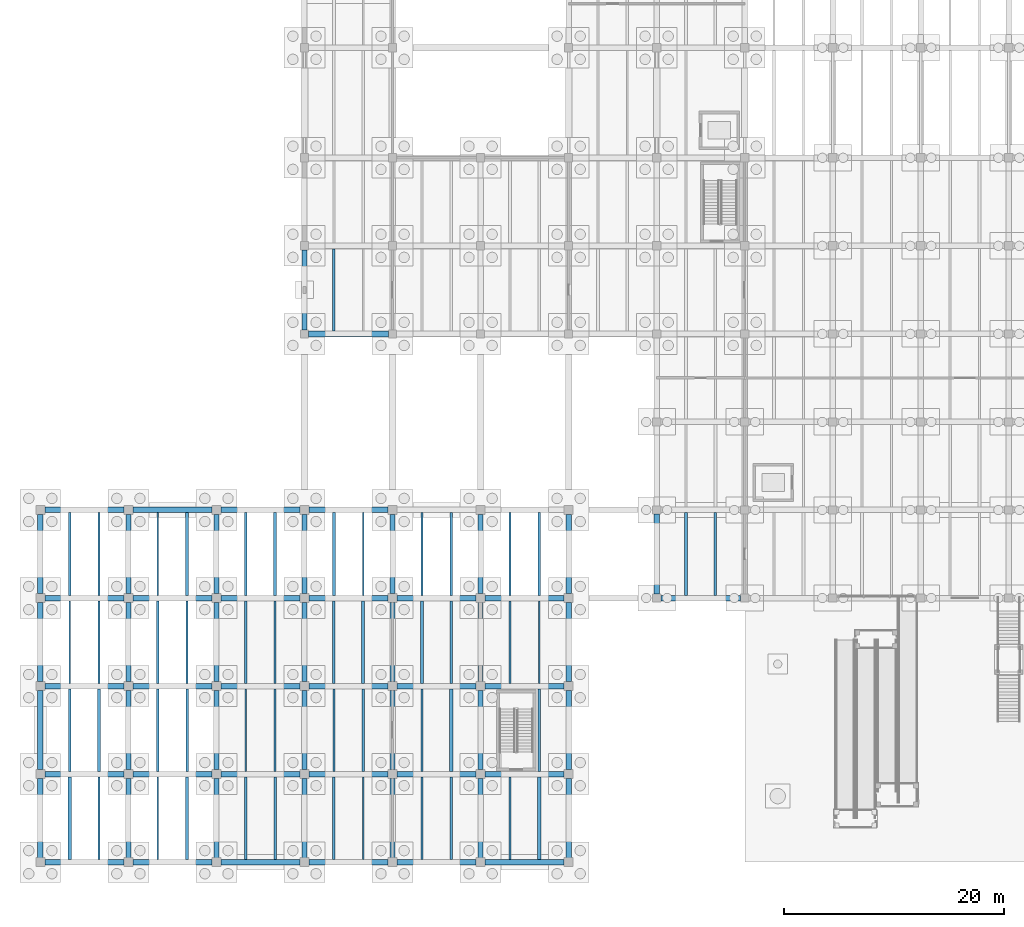
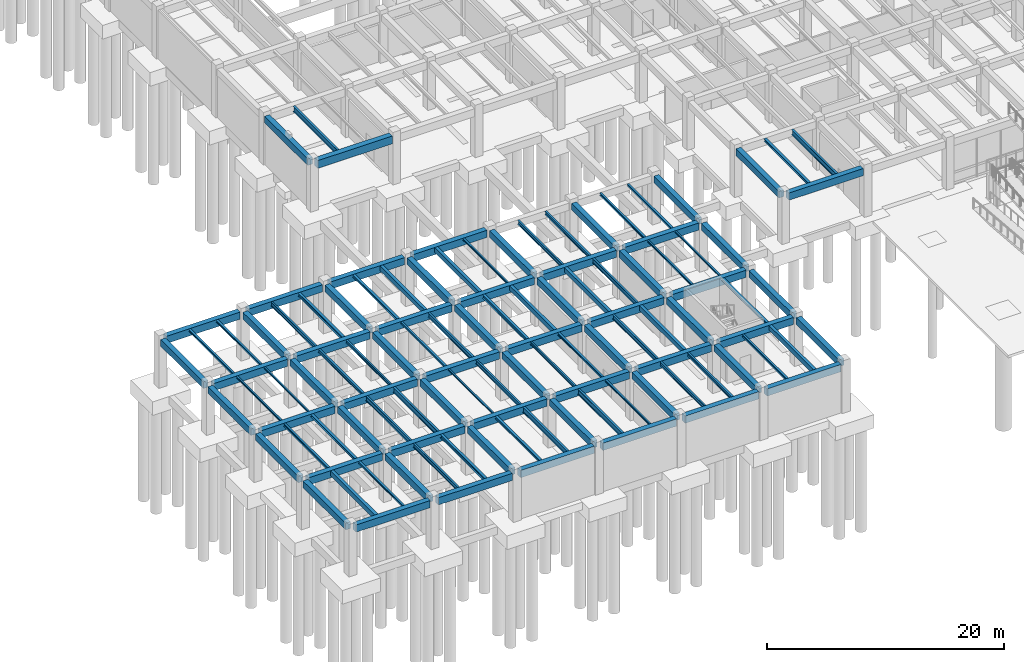
# One storey, part 12 of 44: 110 beams.
"""IFC4 building model written with IfcOpenShell, lengths in metres."""

from ifc_helpers import new_model, si_unit, direction, frame, origin, origin_2d, place, context, subcontext, project, spatial, rectangle, i_section, extrude, material, material_profile, profile_set, type_object, element, save


model = new_model("IFC4")

# Units and contexts
model_context = context("Model", 3, precision=1e-05, world=origin(), true_north=direction((0.0, 1.0)))
body_context = subcontext(model_context, "Body", "Model", "MODEL_VIEW")
ifc_project = project(units=[si_unit("LENGTHUNIT", "METRE"), si_unit("AREAUNIT", "SQUARE_METRE"), si_unit("VOLUMEUNIT", "CUBIC_METRE"), si_unit("PLANEANGLEUNIT", "RADIAN"), si_unit("MASSUNIT", "GRAM", prefix="KILO")], contexts=[model_context])

# Site, building, storey
site_placement = place(None, origin())
site = spatial("IfcSite", under=ifc_project, at=site_placement, CompositionType="ELEMENT")
building_placement = place(site_placement, origin())
building = spatial("IfcBuilding", under=site, at=building_placement, Name="Pecanmere Concourse Central Library", CompositionType="ELEMENT")
storey_placement = place(building_placement, frame((0.0, 0.0, -5.39990234375)))
storey = spatial("IfcBuildingStorey", under=building, at=storey_placement, Name="B1", CompositionType="ELEMENT", Elevation=-5.39990234375)

# Beams
ifc_material_1 = material(Name="Concrete C40/50", Category="concrete")
ifc_material_profile_1 = material_profile(ifc_material_1, rectangle(XDim=0.47998046875, YDim=0.679931640625, at=origin_2d()), Name="RC 480x680")
ifc_profile_set_1 = profile_set([ifc_material_profile_1], Name="Concrete C40/50")
beam_type_1 = type_object("IfcBeamType", Name="GRD_480x680", PredefinedType="USERDEFINED", material=ifc_profile_set_1)
for number, where, z_axis, x_axis, name in (
    (1, (0.0, 0.39990234375, 4.639892578125), (0.0, 1.0, 0.0), (-1.0, 0.0, 0.0), "Primary Girder Y L01-0211"),
    (2, (0.0, 8.39990234375, 4.639892578125), (0.0, 1.0, 0.0), (-1.0, 0.0, 0.0), "Primary Girder Y L01-0212"),
    (3, (0.0, 16.39990234375, 4.639892578125), (0.0, 1.0, 0.0), (-1.0, 0.0, 0.0), "Primary Girder Y L01-0213"),
    (4, (0.0, 24.39990234375, 4.639892578125), (0.0, 1.0, 0.0), (-1.0, 0.0, 0.0), "Primary Girder Y L01-0214"),
    (5, (8.0, 0.39990234375, 4.639892578125), (0.0, 1.0, 0.0), (-1.0, 0.0, 0.0), "Primary Girder Y L01-0215"),
    (6, (8.0, 8.39990234375, 4.639892578125), (0.0, 1.0, 0.0), (-1.0, 0.0, 0.0), "Primary Girder Y L01-0216"),
    (7, (8.0, 16.39990234375, 4.639892578125), (0.0, 1.0, 0.0), (-1.0, 0.0, 0.0), "Primary Girder Y L01-0217"),
    (8, (8.0, 24.39990234375, 4.639892578125), (0.0, 1.0, 0.0), (-1.0, 0.0, 0.0), "Primary Girder Y L01-0218"),
    (9, (16.0, 0.39990234375, 4.639892578125), (0.0, 1.0, 0.0), (-1.0, 0.0, 0.0), "Primary Girder Y L01-0219"),
    (10, (16.0, 8.39990234375, 4.639892578125), (0.0, 1.0, 0.0), (-1.0, 0.0, 0.0), "Primary Girder Y L01-0220"),
    (11, (16.0, 16.39990234375, 4.639892578125), (0.0, 1.0, 0.0), (-1.0, 0.0, 0.0), "Primary Girder Y L01-0221"),
    (12, (16.0, 24.39990234375, 4.639892578125), (0.0, 1.0, 0.0), (-1.0, 0.0, 0.0), "Primary Girder Y L01-0222"),
    (13, (24.0, 0.39990234375, 4.639892578125), (0.0, 1.0, 0.0), (-1.0, 0.0, 0.0), "Primary Girder Y L01-0223"),
    (14, (24.0, 8.39990234375, 4.639892578125), (0.0, 1.0, 0.0), (-1.0, 0.0, 0.0), "Primary Girder Y L01-0224"),
    (15, (24.0, 16.39990234375, 4.639892578125), (0.0, 1.0, 0.0), (-1.0, 0.0, 0.0), "Primary Girder Y L01-0225"),
    (16, (24.0, 24.39990234375, 4.639892578125), (0.0, 1.0, 0.0), (-1.0, 0.0, 0.0), "Primary Girder Y L01-0226"),
):
    element("IfcBeam", number, at=place(storey_placement, frame(where, z_axis=z_axis, x_axis=x_axis)), inside=storey, type_object=beam_type_1, Name=name, ObjectType="GIRDER", PredefinedType="USERDEFINED", context=body_context, shape_type="SweptSolid", body=[
        extrude(rectangle(XDim=0.47998046875, YDim=0.679931640625, at=origin_2d()), origin(), (0.0, 0.0, 1.0), 7.2001953125),
    ])
beam_1_placement = place(storey_placement, frame((24.0, 48.375, 4.639892578125), z_axis=(0.0, 1.0, 0.0), x_axis=(-1.0, 0.0, 0.0)))
element("IfcBeam", 17, at=beam_1_placement, inside=storey, type_object=beam_type_1, Name="Primary Girder Y L01-0227", ObjectType="GIRDER", PredefinedType="USERDEFINED", context=body_context, shape_type="SweptSolid", body=[
    extrude(rectangle(XDim=0.47998046875, YDim=0.679931640625, at=origin_2d()), origin(), (0.0, 0.0, 1.0), 7.25),
])
for number, where, z_axis, x_axis, name in (
    (18, (32.0, 0.39990234375, 4.639892578125), (0.0, 1.0, 0.0), (-1.0, 0.0, 0.0), "Primary Girder Y L01-0234"),
    (19, (32.0, 8.39990234375, 4.639892578125), (0.0, 1.0, 0.0), (-1.0, 0.0, 0.0), "Primary Girder Y L01-0235"),
    (20, (32.0, 16.39990234375, 4.639892578125), (0.0, 1.0, 0.0), (-1.0, 0.0, 0.0), "Primary Girder Y L01-0236"),
    (21, (32.0, 24.39990234375, 4.639892578125), (0.0, 1.0, 0.0), (-1.0, 0.0, 0.0), "Primary Girder Y L01-0237"),
    (22, (40.0, 0.39990234375, 4.639892578125), (0.0, 1.0, 0.0), (-1.0, 0.0, 0.0), "Primary Girder Y L01-0245"),
    (23, (40.0, 8.39990234375, 4.639892578125), (0.0, 1.0, 0.0), (-1.0, 0.0, 0.0), "Primary Girder Y L01-0246"),
    (24, (40.0, 16.39990234375, 4.639892578125), (0.0, 1.0, 0.0), (-1.0, 0.0, 0.0), "Primary Girder Y L01-0247"),
    (25, (40.0, 24.39990234375, 4.639892578125), (0.0, 1.0, 0.0), (-1.0, 0.0, 0.0), "Primary Girder Y L01-0248"),
    (26, (48.0, 0.39990234375, 4.639892578125), (0.0, 1.0, 0.0), (-1.0, 0.0, 0.0), "Primary Girder Y L01-0253"),
    (27, (48.0, 8.39990234375, 4.639892578125), (0.0, 1.0, 0.0), (-1.0, 0.0, 0.0), "Primary Girder Y L01-0254"),
    (28, (48.0, 16.39990234375, 4.639892578125), (0.0, 1.0, 0.0), (-1.0, 0.0, 0.0), "Primary Girder Y L01-0255"),
    (29, (48.0, 24.39990234375, 4.639892578125), (0.0, 1.0, 0.0), (-1.0, 0.0, 0.0), "Primary Girder Y L01-0256"),
):
    element("IfcBeam", number, at=place(storey_placement, frame(where, z_axis=z_axis, x_axis=x_axis)), inside=storey, type_object=beam_type_1, Name=name, ObjectType="GIRDER", PredefinedType="USERDEFINED", context=body_context, shape_type="SweptSolid", body=[
        extrude(rectangle(XDim=0.47998046875, YDim=0.679931640625, at=origin_2d()), origin(), (0.0, 0.0, 1.0), 7.2001953125),
    ])
beam_2_placement = place(storey_placement, frame((56.0, 24.375, 4.639892578125), z_axis=(0.0, 1.0, 0.0), x_axis=(-1.0, 0.0, 0.0)))
element("IfcBeam", 30, at=beam_2_placement, inside=storey, type_object=beam_type_1, Name="Primary Girder Y L01-0264", ObjectType="GIRDER", PredefinedType="USERDEFINED", context=body_context, shape_type="SweptSolid", body=[
    extrude(rectangle(XDim=0.47998046875, YDim=0.679931640625, at=origin_2d()), origin(), (0.0, 0.0, 1.0), 7.25),
])
ifc_material_2 = material(Name="Concrete C40/50", Category="concrete")
ifc_material_profile_2 = material_profile(ifc_material_2, rectangle(XDim=0.5, YDim=0.739990234375, at=origin_2d()), Name="RC 500x740")
ifc_profile_set_2 = profile_set([ifc_material_profile_2], Name="Concrete C40/50")
beam_type_2 = type_object("IfcBeamType", Name="GRD_500x740", PredefinedType="USERDEFINED", material=ifc_profile_set_2)
for number, where, z_axis, x_axis, name in (
    (31, (0.39990234375, 0.0, 4.60986328125), (1.0, 0.0, 0.0), (0.0, 1.0, 0.0), "Primary Girder X L01-0001"),
    (32, (8.39990234375, 0.0, 4.60986328125), (1.0, 0.0, 0.0), (0.0, 1.0, 0.0), "Primary Girder X L01-0002"),
    (33, (16.39990234375, 0.0, 4.60986328125), (1.0, 0.0, 0.0), (0.0, 1.0, 0.0), "Primary Girder X L01-0003"),
    (34, (24.39990234375, 0.0, 4.60986328125), (1.0, 0.0, 0.0), (0.0, 1.0, 0.0), "Primary Girder X L01-0004"),
    (35, (32.39990234375, 0.0, 4.60986328125), (1.0, 0.0, 0.0), (0.0, 1.0, 0.0), "Primary Girder X L01-0005"),
    (36, (40.39990234375, 0.0, 4.60986328125), (1.0, 0.0, 0.0), (0.0, 1.0, 0.0), "Primary Girder X L01-0006"),
    (37, (0.39990234375, 8.0, 4.60986328125), (1.0, 0.0, 0.0), (0.0, 1.0, 0.0), "Primary Girder X L01-0013"),
    (38, (8.39990234375, 8.0, 4.60986328125), (1.0, 0.0, 0.0), (0.0, 1.0, 0.0), "Primary Girder X L01-0014"),
    (39, (16.39990234375, 8.0, 4.60986328125), (1.0, 0.0, 0.0), (0.0, 1.0, 0.0), "Primary Girder X L01-0015"),
    (40, (24.39990234375, 8.0, 4.60986328125), (1.0, 0.0, 0.0), (0.0, 1.0, 0.0), "Primary Girder X L01-0016"),
    (41, (32.39990234375, 8.0, 4.60986328125), (1.0, 0.0, 0.0), (0.0, 1.0, 0.0), "Primary Girder X L01-0017"),
    (42, (40.39990234375, 8.0, 4.60986328125), (1.0, 0.0, 0.0), (0.0, 1.0, 0.0), "Primary Girder X L01-0018"),
    (43, (0.39990234375, 16.0, 4.60986328125), (1.0, 0.0, 0.0), (0.0, 1.0, 0.0), "Primary Girder X L01-0025"),
    (44, (8.39990234375, 16.0, 4.60986328125), (1.0, 0.0, 0.0), (0.0, 1.0, 0.0), "Primary Girder X L01-0026"),
    (45, (16.39990234375, 16.0, 4.60986328125), (1.0, 0.0, 0.0), (0.0, 1.0, 0.0), "Primary Girder X L01-0027"),
    (46, (24.39990234375, 16.0, 4.60986328125), (1.0, 0.0, 0.0), (0.0, 1.0, 0.0), "Primary Girder X L01-0028"),
    (47, (32.39990234375, 16.0, 4.60986328125), (1.0, 0.0, 0.0), (0.0, 1.0, 0.0), "Primary Girder X L01-0029"),
    (48, (40.39990234375, 16.0, 4.60986328125), (1.0, 0.0, 0.0), (0.0, 1.0, 0.0), "Primary Girder X L01-0030"),
    (49, (0.39990234375, 24.0, 4.60986328125), (1.0, 0.0, 0.0), (0.0, 1.0, 0.0), "Primary Girder X L01-0037"),
    (50, (8.39990234375, 24.0, 4.60986328125), (1.0, 0.0, 0.0), (0.0, 1.0, 0.0), "Primary Girder X L01-0038"),
    (51, (16.39990234375, 24.0, 4.60986328125), (1.0, 0.0, 0.0), (0.0, 1.0, 0.0), "Primary Girder X L01-0039"),
    (52, (24.39990234375, 24.0, 4.60986328125), (1.0, 0.0, 0.0), (0.0, 1.0, 0.0), "Primary Girder X L01-0040"),
    (53, (32.39990234375, 24.0, 4.60986328125), (1.0, 0.0, 0.0), (0.0, 1.0, 0.0), "Primary Girder X L01-0041"),
    (54, (40.39990234375, 24.0, 4.60986328125), (1.0, 0.0, 0.0), (0.0, 1.0, 0.0), "Primary Girder X L01-0042"),
):
    element("IfcBeam", number, at=place(storey_placement, frame(where, z_axis=z_axis, x_axis=x_axis)), inside=storey, type_object=beam_type_2, Name=name, ObjectType="GIRDER", PredefinedType="USERDEFINED", context=body_context, shape_type="SweptSolid", body=[
        extrude(rectangle(XDim=0.5, YDim=0.739990234375, at=origin_2d()), origin(), (0.0, 0.0, 1.0), 7.2001953125),
    ])
beam_3_placement = place(storey_placement, frame((56.375, 24.0, 4.60986328125), z_axis=(1.0, 0.0, 0.0), x_axis=(0.0, 1.0, 0.0)))
element("IfcBeam", 55, at=beam_3_placement, inside=storey, type_object=beam_type_2, Name="Primary Girder X L01-0043", ObjectType="GIRDER", PredefinedType="USERDEFINED", context=body_context, shape_type="SweptSolid", body=[
    extrude(rectangle(XDim=0.5, YDim=0.739990234375, at=origin_2d()), origin(), (0.0, 0.0, 1.0), 7.25),
])
for number, where, z_axis, x_axis, name in (
    (56, (0.39990234375, 32.0, 4.60986328125), (1.0, 0.0, 0.0), (0.0, 1.0, 0.0), "Primary Girder X L01-0057"),
    (57, (8.39990234375, 32.0, 4.60986328125), (1.0, 0.0, 0.0), (0.0, 1.0, 0.0), "Primary Girder X L01-0058"),
    (58, (16.39990234375, 32.0, 4.60986328125), (1.0, 0.0, 0.0), (0.0, 1.0, 0.0), "Primary Girder X L01-0059"),
    (59, (24.39990234375, 32.0, 4.60986328125), (1.0, 0.0, 0.0), (0.0, 1.0, 0.0), "Primary Girder X L01-0060"),
):
    element("IfcBeam", number, at=place(storey_placement, frame(where, z_axis=z_axis, x_axis=x_axis)), inside=storey, type_object=beam_type_2, Name=name, ObjectType="GIRDER", PredefinedType="USERDEFINED", context=body_context, shape_type="SweptSolid", body=[
        extrude(rectangle(XDim=0.5, YDim=0.739990234375, at=origin_2d()), origin(), (0.0, 0.0, 1.0), 7.2001953125),
    ])
ifc_material_3 = material(Name="Concrete C40/50", Category="concrete")
ifc_material_profile_3 = material_profile(ifc_material_3, rectangle(XDim=0.5400390625, YDim=0.800048828125, at=origin_2d()), Name="RC 540x800")
ifc_profile_set_3 = profile_set([ifc_material_profile_3], Name="Concrete C40/50")
beam_type_3 = type_object("IfcBeamType", Name="GRD_540x800", PredefinedType="USERDEFINED", material=ifc_profile_set_3)
beam_4_placement = place(storey_placement, frame((24.375, 48.0, 4.579833984375), z_axis=(1.0, 0.0, 0.0), x_axis=(0.0, 1.0, 0.0)))
element("IfcBeam", 60, at=beam_4_placement, inside=storey, type_object=beam_type_3, Name="Primary Girder X L01-0085", ObjectType="GIRDER", PredefinedType="USERDEFINED", context=body_context, shape_type="SweptSolid", body=[
    extrude(rectangle(XDim=0.5400390625, YDim=0.800048828125, at=origin_2d()), origin(), (0.0, 0.0, 1.0), 7.25),
])
ifc_material_4 = material(Name="Concrete C40/50", Category="concrete")
ifc_material_profile_4 = material_profile(ifc_material_4, rectangle(XDim=0.280029296875, YDim=0.5, at=origin_2d()), Name="RC 280x500")
ifc_profile_set_4 = profile_set([ifc_material_profile_4], Name="Concrete C40/50")
beam_type_4 = type_object("IfcBeamType", Name="JST_RC_280x500", PredefinedType="JOIST", material=ifc_profile_set_4)
for number, where, z_axis, x_axis, name in (
    (61, (21.333251953125, 24.25, 4.72998046875), (0.0, 1.0, 0.0), (-1.0, 0.0, 0.0), "Secondary Floor Joist L01-0440"),
    (62, (29.333251953125, 16.25, 4.72998046875), (0.0, 1.0, 0.0), (-1.0, 0.0, 0.0), "Secondary Floor Joist L01-0446"),
    (63, (26.666748046875, 24.25, 4.72998046875), (0.0, 1.0, 0.0), (-1.0, 0.0, 0.0), "Secondary Floor Joist L01-0447"),
    (64, (37.333251953125, 8.25, 4.72998046875), (0.0, 1.0, 0.0), (-1.0, 0.0, 0.0), "Secondary Floor Joist L01-0466"),
    (65, (34.666748046875, 16.25, 4.72998046875), (0.0, 1.0, 0.0), (-1.0, 0.0, 0.0), "Secondary Floor Joist L01-0467"),
    (66, (45.333251953125, 0.25, 4.72998046875), (0.0, 1.0, 0.0), (-1.0, 0.0, 0.0), "Secondary Floor Joist L01-0480"),
):
    element("IfcBeam", number, at=place(storey_placement, frame(where, z_axis=z_axis, x_axis=x_axis)), inside=storey, type_object=beam_type_4, Name=name, PredefinedType="JOIST", context=body_context, shape_type="SweptSolid", body=[
        extrude(rectangle(XDim=0.280029296875, YDim=0.5, at=origin_2d()), origin(), (0.0, 0.0, 1.0), 7.5),
    ])
ifc_material_5 = material(Name="Concrete C40/50", Category="concrete")
ifc_material_profile_5 = material_profile(ifc_material_5, rectangle(XDim=0.300048828125, YDim=0.52001953125, at=origin_2d()), Name="RC 300x520")
ifc_profile_set_5 = profile_set([ifc_material_profile_5], Name="Concrete C40/50")
beam_type_5 = type_object("IfcBeamType", Name="JST_RC_300x520", PredefinedType="JOIST", material=ifc_profile_set_5)
beam_5_placement = place(storey_placement, frame((2.666748046875, 0.25, 4.719970703125), z_axis=(0.0, 1.0, 0.0), x_axis=(-1.0, 0.0, 0.0)))
element("IfcBeam", 67, at=beam_5_placement, inside=storey, type_object=beam_type_5, Name="Secondary Floor Joist L01-0417", PredefinedType="JOIST", context=body_context, shape_type="SweptSolid", body=[
    extrude(rectangle(XDim=0.300048828125, YDim=0.52001953125, at=origin_2d()), origin(), (0.0, 0.0, 1.0), 7.5),
])
ifc_material_6 = material(Name="Structural steel ASTM A992 Grade 50", Category="steel")
ifc_material_profile_6 = material_profile(ifc_material_6, i_section(OverallWidth=0.152099609375, OverallDepth=0.152099609375, WebThickness=0.005859375, FlangeThickness=0.006591796875, at=origin_2d()), Name="W150x22.5")
ifc_profile_set_6 = profile_set([ifc_material_profile_6], Name="Structural steel ASTM A992 Grade 50")
beam_type_6 = type_object("IfcBeamType", Name="SBM_W150x22", PredefinedType="LINTEL", material=ifc_profile_set_6)
for number, where, z_axis, x_axis, name in (
    (68, (5.333251953125, 16.25, 4.90380859375), (0.0, 1.0, 0.0), (-1.0, 0.0, 0.0), "Secondary Floor Joist L01-0422"),
    (69, (18.666748046875, 8.25, 4.90380859375), (0.0, 1.0, 0.0), (-1.0, 0.0, 0.0), "Secondary Floor Joist L01-0435"),
    (70, (45.333251953125, 16.25, 4.90380859375), (0.0, 1.0, 0.0), (-1.0, 0.0, 0.0), "Secondary Floor Joist L01-0483"),
):
    element("IfcBeam", number, at=place(storey_placement, frame(where, z_axis=z_axis, x_axis=x_axis)), inside=storey, type_object=beam_type_6, Name=name, PredefinedType="LINTEL", context=body_context, shape_type="SweptSolid", body=[
        extrude(i_section(OverallWidth=0.152099609375, OverallDepth=0.152099609375, WebThickness=0.005859375, FlangeThickness=0.006591796875, at=origin_2d()), origin(), (0.0, 0.0, 1.0), 7.5),
    ])
ifc_material_7 = material(Name="Structural steel ASTM A992 Grade 50", Category="steel")
ifc_material_profile_7 = material_profile(ifc_material_7, i_section(OverallWidth=0.1650390625, OverallDepth=0.200927734375, WebThickness=0.006103515625, FlangeThickness=0.01025390625, at=origin_2d()), Name="W200x35.9")
ifc_profile_set_7 = profile_set([ifc_material_profile_7], Name="Structural steel ASTM A992 Grade 50")
beam_type_7 = type_object("IfcBeamType", Name="SBM_W200x36", PredefinedType="LINTEL", material=ifc_profile_set_7)
for number, where, z_axis, x_axis, name in (
    (71, (2.666748046875, 16.25, 4.87939453125), (0.0, 1.0, 0.0), (-1.0, 0.0, 0.0), "Secondary Floor Joist L01-0421"),
    (72, (29.333251953125, 0.25, 4.87939453125), (0.0, 1.0, 0.0), (-1.0, 0.0, 0.0), "Secondary Floor Joist L01-0442"),
    (73, (29.333251953125, 24.25, 4.87939453125), (0.0, 1.0, 0.0), (-1.0, 0.0, 0.0), "Secondary Floor Joist L01-0448"),
    (74, (42.666748046875, 16.25, 4.87939453125), (0.0, 1.0, 0.0), (-1.0, 0.0, 0.0), "Secondary Floor Joist L01-0482"),
):
    element("IfcBeam", number, at=place(storey_placement, frame(where, z_axis=z_axis, x_axis=x_axis)), inside=storey, type_object=beam_type_7, Name=name, PredefinedType="LINTEL", context=body_context, shape_type="SweptSolid", body=[
        extrude(i_section(OverallWidth=0.1650390625, OverallDepth=0.200927734375, WebThickness=0.006103515625, FlangeThickness=0.01025390625, at=origin_2d()), origin(), (0.0, 0.0, 1.0), 7.5),
    ])
ifc_material_8 = material(Name="Structural steel ASTM A992 Grade 50", Category="steel")
ifc_material_profile_8 = material_profile(ifc_material_8, i_section(OverallWidth=0.2041015625, OverallDepth=0.2060546875, WebThickness=0.0078125, FlangeThickness=0.0126953125, at=origin_2d()), Name="W200x52")
ifc_profile_set_8 = profile_set([ifc_material_profile_8], Name="Structural steel ASTM A992 Grade 50")
beam_type_8 = type_object("IfcBeamType", Name="SBM_W200x52", PredefinedType="JOIST", material=ifc_profile_set_8)
for number, where, z_axis, x_axis, name in (
    (75, (5.333251953125, 0.25, 4.876953125), (0.0, 1.0, 0.0), (-1.0, 0.0, 0.0), "Secondary Floor Joist L01-0418"),
    (76, (5.333251953125, 24.25, 4.876953125), (0.0, 1.0, 0.0), (-1.0, 0.0, 0.0), "Secondary Floor Joist L01-0424"),
    (77, (18.666748046875, 16.25, 4.876953125), (0.0, 1.0, 0.0), (-1.0, 0.0, 0.0), "Secondary Floor Joist L01-0437"),
    (78, (45.333251953125, 24.25, 4.876953125), (0.0, 1.0, 0.0), (-1.0, 0.0, 0.0), "Secondary Floor Joist L01-0485"),
):
    element("IfcBeam", number, at=place(storey_placement, frame(where, z_axis=z_axis, x_axis=x_axis)), inside=storey, type_object=beam_type_8, Name=name, PredefinedType="JOIST", context=body_context, shape_type="SweptSolid", body=[
        extrude(i_section(OverallWidth=0.2041015625, OverallDepth=0.2060546875, WebThickness=0.0078125, FlangeThickness=0.0126953125, at=origin_2d()), origin(), (0.0, 0.0, 1.0), 7.5),
    ])
ifc_material_9 = material(Name="Structural steel ASTM A992 Grade 50", Category="steel")
ifc_material_profile_9 = material_profile(ifc_material_9, i_section(OverallWidth=0.201904296875, OverallDepth=0.2470703125, WebThickness=0.00732421875, FlangeThickness=0.010986328125, at=origin_2d()), Name="W250x49.1")
ifc_profile_set_9 = profile_set([ifc_material_profile_9], Name="Structural steel ASTM A992 Grade 50")
beam_type_9 = type_object("IfcBeamType", Name="SBM_W250x49", PredefinedType="JOIST", material=ifc_profile_set_9)
for number, where, z_axis, x_axis, name in (
    (79, (2.666748046875, 24.25, 4.8564453125), (0.0, 1.0, 0.0), (-1.0, 0.0, 0.0), "Secondary Floor Joist L01-0423"),
    (80, (29.333251953125, 8.25, 4.8564453125), (0.0, 1.0, 0.0), (-1.0, 0.0, 0.0), "Secondary Floor Joist L01-0444"),
    (81, (42.666748046875, 0.25, 4.8564453125), (0.0, 1.0, 0.0), (-1.0, 0.0, 0.0), "Secondary Floor Joist L01-0479"),
    (82, (42.666748046875, 24.25, 4.8564453125), (0.0, 1.0, 0.0), (-1.0, 0.0, 0.0), "Secondary Floor Joist L01-0484"),
):
    element("IfcBeam", number, at=place(storey_placement, frame(where, z_axis=z_axis, x_axis=x_axis)), inside=storey, type_object=beam_type_9, Name=name, PredefinedType="JOIST", context=body_context, shape_type="SweptSolid", body=[
        extrude(i_section(OverallWidth=0.201904296875, OverallDepth=0.2470703125, WebThickness=0.00732421875, FlangeThickness=0.010986328125, at=origin_2d()), origin(), (0.0, 0.0, 1.0), 7.5),
    ])
ifc_material_10 = material(Name="Structural steel ASTM A992 Grade 50", Category="steel")
ifc_material_profile_10 = material_profile(ifc_material_10, i_section(OverallWidth=0.25390625, OverallDepth=0.2529296875, WebThickness=0.008544921875, FlangeThickness=0.01416015625, at=origin_2d()), Name="W250x73")
ifc_profile_set_10 = profile_set([ifc_material_profile_10], Name="Structural steel ASTM A992 Grade 50")
beam_type_10 = type_object("IfcBeamType", Name="SBM_W250x73", PredefinedType="BEAM", material=ifc_profile_set_10)
for number, where, z_axis, x_axis, name in (
    (83, (5.333251953125, 8.25, 4.853515625), (0.0, 1.0, 0.0), (-1.0, 0.0, 0.0), "Secondary Floor Joist L01-0420"),
    (84, (18.666748046875, 0.25, 4.853515625), (0.0, 1.0, 0.0), (-1.0, 0.0, 0.0), "Secondary Floor Joist L01-0433"),
    (85, (18.666748046875, 24.25, 4.853515625), (0.0, 1.0, 0.0), (-1.0, 0.0, 0.0), "Secondary Floor Joist L01-0439"),
    (86, (45.333251953125, 8.25, 4.853515625), (0.0, 1.0, 0.0), (-1.0, 0.0, 0.0), "Secondary Floor Joist L01-0481"),
    (87, (58.666748046875, 24.25, 4.853515625), (0.0, 1.0, 0.0), (-1.0, 0.0, 0.0), "Secondary Floor Joist L01-0508"),
):
    element("IfcBeam", number, at=place(storey_placement, frame(where, z_axis=z_axis, x_axis=x_axis)), inside=storey, type_object=beam_type_10, Name=name, PredefinedType="BEAM", context=body_context, shape_type="SweptSolid", body=[
        extrude(i_section(OverallWidth=0.25390625, OverallDepth=0.2529296875, WebThickness=0.008544921875, FlangeThickness=0.01416015625, at=origin_2d()), origin(), (0.0, 0.0, 1.0), 7.5),
    ])
ifc_material_11 = material(Name="Structural steel ASTM A992 Grade 50", Category="steel")
ifc_material_profile_11 = material_profile(ifc_material_11, i_section(OverallWidth=0.1669921875, OverallDepth=0.31689453125, WebThickness=0.007568359375, FlangeThickness=0.01318359375, at=origin_2d()), Name="W310x52")
ifc_profile_set_11 = profile_set([ifc_material_profile_11], Name="Structural steel ASTM A992 Grade 50")
beam_type_11 = type_object("IfcBeamType", Name="SBM_W310x52", PredefinedType="JOIST", material=ifc_profile_set_11)
for number, where, z_axis, x_axis, name in (
    (88, (13.333251953125, 16.25, 4.8212890625), (0.0, 1.0, 0.0), (-1.0, 0.0, 0.0), "Secondary Floor Joist L01-0430"),
    (89, (26.666748046875, 8.25, 4.8212890625), (0.0, 1.0, 0.0), (-1.0, 0.0, 0.0), "Secondary Floor Joist L01-0443"),
):
    element("IfcBeam", number, at=place(storey_placement, frame(where, z_axis=z_axis, x_axis=x_axis)), inside=storey, type_object=beam_type_11, Name=name, PredefinedType="JOIST", context=body_context, shape_type="SweptSolid", body=[
        extrude(i_section(OverallWidth=0.1669921875, OverallDepth=0.31689453125, WebThickness=0.007568359375, FlangeThickness=0.01318359375, at=origin_2d()), origin(), (0.0, 0.0, 1.0), 7.5),
    ])
ifc_material_12 = material(Name="Structural steel ASTM A992 Grade 50", Category="steel")
ifc_material_profile_12 = material_profile(ifc_material_12, i_section(OverallWidth=0.205078125, OverallDepth=0.31005859375, WebThickness=0.009521484375, FlangeThickness=0.016357421875, at=origin_2d()), Name="W310x74")
ifc_profile_set_12 = profile_set([ifc_material_profile_12], Name="Structural steel ASTM A992 Grade 50")
beam_type_12 = type_object("IfcBeamType", Name="SBM_W310x74", PredefinedType="BEAM", material=ifc_profile_set_12)
beam_6_placement = place(storey_placement, frame((2.666748046875, 8.25, 4.824951171875), z_axis=(0.0, 1.0, 0.0), x_axis=(-1.0, 0.0, 0.0)))
element("IfcBeam", 90, at=beam_6_placement, inside=storey, type_object=beam_type_12, Name="Secondary Floor Joist L01-0419", PredefinedType="BEAM", context=body_context, shape_type="SweptSolid", body=[
    extrude(i_section(OverallWidth=0.205078125, OverallDepth=0.31005859375, WebThickness=0.009521484375, FlangeThickness=0.016357421875, at=origin_2d()), origin(), (0.0, 0.0, 1.0), 7.5),
])
ifc_material_13 = material(Name="Structural steel ASTM A992 Grade 50", Category="steel")
ifc_material_profile_13 = material_profile(ifc_material_13, i_section(OverallWidth=0.202880859375, OverallDepth=0.346923828125, WebThickness=0.0078125, FlangeThickness=0.013427734375, at=origin_2d()), Name="W360x64")
ifc_profile_set_13 = profile_set([ifc_material_profile_13], Name="Structural steel ASTM A992 Grade 50")
beam_type_13 = type_object("IfcBeamType", Name="SBM_W360x64", PredefinedType="JOIST", material=ifc_profile_set_13)
for number, where, z_axis, x_axis, name in (
    (91, (10.666748046875, 16.25, 4.806396484375), (0.0, 1.0, 0.0), (-1.0, 0.0, 0.0), "Secondary Floor Joist L01-0429"),
    (92, (37.333251953125, 0.25, 4.806396484375), (0.0, 1.0, 0.0), (-1.0, 0.0, 0.0), "Secondary Floor Joist L01-0464"),
    (93, (37.333251953125, 24.25, 4.806396484375), (0.0, 1.0, 0.0), (-1.0, 0.0, 0.0), "Secondary Floor Joist L01-0470"),
):
    element("IfcBeam", number, at=place(storey_placement, frame(where, z_axis=z_axis, x_axis=x_axis)), inside=storey, type_object=beam_type_13, Name=name, PredefinedType="JOIST", context=body_context, shape_type="SweptSolid", body=[
        extrude(i_section(OverallWidth=0.202880859375, OverallDepth=0.346923828125, WebThickness=0.0078125, FlangeThickness=0.013427734375, at=origin_2d()), origin(), (0.0, 0.0, 1.0), 7.5),
    ])
ifc_material_14 = material(Name="Structural steel ASTM A992 Grade 50", Category="steel")
ifc_material_profile_14 = material_profile(ifc_material_14, i_section(OverallWidth=0.25390625, OverallDepth=0.35302734375, WebThickness=0.009521484375, FlangeThickness=0.016357421875, at=origin_2d()), Name="W360x91")
ifc_profile_set_14 = profile_set([ifc_material_profile_14], Name="Structural steel ASTM A992 Grade 50")
beam_type_14 = type_object("IfcBeamType", Name="SBM_W360x91", PredefinedType="BEAM", material=ifc_profile_set_14)
for number, where, z_axis, x_axis, name in (
    (94, (13.333251953125, 0.25, 4.803466796875), (0.0, 1.0, 0.0), (-1.0, 0.0, 0.0), "Secondary Floor Joist L01-0426"),
    (95, (13.333251953125, 24.25, 4.803466796875), (0.0, 1.0, 0.0), (-1.0, 0.0, 0.0), "Secondary Floor Joist L01-0432"),
    (96, (26.666748046875, 16.25, 4.803466796875), (0.0, 1.0, 0.0), (-1.0, 0.0, 0.0), "Secondary Floor Joist L01-0445"),
):
    element("IfcBeam", number, at=place(storey_placement, frame(where, z_axis=z_axis, x_axis=x_axis)), inside=storey, type_object=beam_type_14, Name=name, PredefinedType="BEAM", context=body_context, shape_type="SweptSolid", body=[
        extrude(i_section(OverallWidth=0.25390625, OverallDepth=0.35302734375, WebThickness=0.009521484375, FlangeThickness=0.016357421875, at=origin_2d()), origin(), (0.0, 0.0, 1.0), 7.5),
    ])
ifc_material_15 = material(Name="Structural steel ASTM A992 Grade 50", Category="steel")
ifc_material_profile_15 = material_profile(ifc_material_15, i_section(OverallWidth=0.177978515625, OverallDepth=0.406982421875, WebThickness=0.0078125, FlangeThickness=0.0126953125, at=origin_2d()), Name="W410x60")
ifc_profile_set_15 = profile_set([ifc_material_profile_15], Name="Structural steel ASTM A992 Grade 50")
beam_type_15 = type_object("IfcBeamType", Name="SBM_W410x60", PredefinedType="JOIST", material=ifc_profile_set_15)
for number, where, z_axis, x_axis, name in (
    (97, (21.333251953125, 8.25, 4.7763671875), (0.0, 1.0, 0.0), (-1.0, 0.0, 0.0), "Secondary Floor Joist L01-0436"),
    (98, (34.666748046875, 0.25, 4.7763671875), (0.0, 1.0, 0.0), (-1.0, 0.0, 0.0), "Secondary Floor Joist L01-0463"),
    (99, (34.666748046875, 24.25, 4.7763671875), (0.0, 1.0, 0.0), (-1.0, 0.0, 0.0), "Secondary Floor Joist L01-0469"),
):
    element("IfcBeam", number, at=place(storey_placement, frame(where, z_axis=z_axis, x_axis=x_axis)), inside=storey, type_object=beam_type_15, Name=name, PredefinedType="JOIST", context=body_context, shape_type="SweptSolid", body=[
        extrude(i_section(OverallWidth=0.177978515625, OverallDepth=0.406982421875, WebThickness=0.0078125, FlangeThickness=0.0126953125, at=origin_2d()), origin(), (0.0, 0.0, 1.0), 7.5),
    ])
ifc_material_16 = material(Name="Structural steel ASTM A992 Grade 50", Category="steel")
ifc_material_profile_16 = material_profile(ifc_material_16, i_section(OverallWidth=0.180908203125, OverallDepth=0.4169921875, WebThickness=0.010986328125, FlangeThickness=0.018310546875, at=origin_2d()), Name="W410x85")
ifc_profile_set_16 = profile_set([ifc_material_profile_16], Name="Structural steel ASTM A992 Grade 50")
beam_type_16 = type_object("IfcBeamType", Name="SBM_W410x85", PredefinedType="BEAM", material=ifc_profile_set_16)
for number, where, z_axis, x_axis, name in (
    (100, (10.666748046875, 0.25, 4.771484375), (0.0, 1.0, 0.0), (-1.0, 0.0, 0.0), "Secondary Floor Joist L01-0425"),
    (101, (10.666748046875, 24.25, 4.771484375), (0.0, 1.0, 0.0), (-1.0, 0.0, 0.0), "Secondary Floor Joist L01-0431"),
):
    element("IfcBeam", number, at=place(storey_placement, frame(where, z_axis=z_axis, x_axis=x_axis)), inside=storey, type_object=beam_type_16, Name=name, PredefinedType="BEAM", context=body_context, shape_type="SweptSolid", body=[
        extrude(i_section(OverallWidth=0.180908203125, OverallDepth=0.4169921875, WebThickness=0.010986328125, FlangeThickness=0.018310546875, at=origin_2d()), origin(), (0.0, 0.0, 1.0), 7.5),
    ])
ifc_material_17 = material(Name="Structural steel ASTM A992 Grade 50", Category="steel")
ifc_material_profile_17 = material_profile(ifc_material_17, i_section(OverallWidth=0.194091796875, OverallDepth=0.468994140625, WebThickness=0.0126953125, FlangeThickness=0.0205078125, at=origin_2d()), Name="W460x106")
ifc_profile_set_17 = profile_set([ifc_material_profile_17], Name="Structural steel ASTM A992 Grade 50")
beam_type_17 = type_object("IfcBeamType", Name="SBM_W460x106", PredefinedType="USERDEFINED", material=ifc_profile_set_17)
for number, where, z_axis, x_axis, name in (
    (102, (10.666748046875, 8.25, 4.745361328125), (0.0, 1.0, 0.0), (-1.0, 0.0, 0.0), "Secondary Floor Joist L01-0427"),
    (103, (37.333251953125, 16.25, 4.745361328125), (0.0, 1.0, 0.0), (-1.0, 0.0, 0.0), "Secondary Floor Joist L01-0468"),
):
    element("IfcBeam", number, at=place(storey_placement, frame(where, z_axis=z_axis, x_axis=x_axis)), inside=storey, type_object=beam_type_17, Name=name, ObjectType="GIRDER", PredefinedType="USERDEFINED", context=body_context, shape_type="SweptSolid", body=[
        extrude(i_section(OverallWidth=0.194091796875, OverallDepth=0.468994140625, WebThickness=0.0126953125, FlangeThickness=0.0205078125, at=origin_2d()), origin(), (0.0, 0.0, 1.0), 7.5),
    ])
ifc_material_18 = material(Name="Structural steel ASTM A992 Grade 50", Category="steel")
ifc_material_profile_18 = material_profile(ifc_material_18, i_section(OverallWidth=0.18994140625, OverallDepth=0.45703125, WebThickness=0.009033203125, FlangeThickness=0.014404296875, at=origin_2d()), Name="W460x74")
ifc_profile_set_18 = profile_set([ifc_material_profile_18], Name="Structural steel ASTM A992 Grade 50")
beam_type_18 = type_object("IfcBeamType", Name="SBM_W460x74", PredefinedType="BEAM", material=ifc_profile_set_18)
for number, where, z_axis, x_axis, name in (
    (104, (21.333251953125, 16.25, 4.75146484375), (0.0, 1.0, 0.0), (-1.0, 0.0, 0.0), "Secondary Floor Joist L01-0438"),
    (105, (34.666748046875, 8.25, 4.75146484375), (0.0, 1.0, 0.0), (-1.0, 0.0, 0.0), "Secondary Floor Joist L01-0465"),
):
    element("IfcBeam", number, at=place(storey_placement, frame(where, z_axis=z_axis, x_axis=x_axis)), inside=storey, type_object=beam_type_18, Name=name, PredefinedType="BEAM", context=body_context, shape_type="SweptSolid", body=[
        extrude(i_section(OverallWidth=0.18994140625, OverallDepth=0.45703125, WebThickness=0.009033203125, FlangeThickness=0.014404296875, at=origin_2d()), origin(), (0.0, 0.0, 1.0), 7.5),
    ])
ifc_material_19 = material(Name="Structural steel ASTM A992 Grade 50", Category="steel")
ifc_material_profile_19 = material_profile(ifc_material_19, i_section(OverallWidth=0.2109375, OverallDepth=0.5390625, WebThickness=0.01171875, FlangeThickness=0.018798828125, at=origin_2d()), Name="W530x109")
ifc_profile_set_19 = profile_set([ifc_material_profile_19], Name="Structural steel ASTM A992 Grade 50")
beam_type_19 = type_object("IfcBeamType", Name="SBM_W530x109", PredefinedType="USERDEFINED", material=ifc_profile_set_19)
for number, where, z_axis, x_axis, name in (
    (106, (13.333251953125, 8.25, 4.71044921875), (0.0, 1.0, 0.0), (-1.0, 0.0, 0.0), "Secondary Floor Joist L01-0428"),
    (107, (26.666748046875, 0.25, 4.71044921875), (0.0, 1.0, 0.0), (-1.0, 0.0, 0.0), "Secondary Floor Joist L01-0441"),
):
    element("IfcBeam", number, at=place(storey_placement, frame(where, z_axis=z_axis, x_axis=x_axis)), inside=storey, type_object=beam_type_19, Name=name, ObjectType="GIRDER", PredefinedType="USERDEFINED", context=body_context, shape_type="SweptSolid", body=[
        extrude(i_section(OverallWidth=0.2109375, OverallDepth=0.5390625, WebThickness=0.01171875, FlangeThickness=0.018798828125, at=origin_2d()), origin(), (0.0, 0.0, 1.0), 7.5),
    ])
beam_7_placement = place(storey_placement, frame((26.666748046875, 48.27001953125, 4.71044921875), z_axis=(0.0, 1.0, 0.0), x_axis=(-1.0, 0.0, 0.0)))
element("IfcBeam", 108, at=beam_7_placement, inside=storey, type_object=beam_type_19, Name="Secondary Floor Joist L01-0449", ObjectType="GIRDER", PredefinedType="USERDEFINED", context=body_context, shape_type="SweptSolid", body=[
    extrude(i_section(OverallWidth=0.2109375, OverallDepth=0.5390625, WebThickness=0.01171875, FlangeThickness=0.018798828125, at=origin_2d()), origin(), (0.0, 0.0, 1.0), 7.4599609375),
])
ifc_material_20 = material(Name="Structural steel ASTM A992 Grade 50", Category="steel")
ifc_material_profile_20 = material_profile(ifc_material_20, i_section(OverallWidth=0.208984375, OverallDepth=0.532958984375, WebThickness=0.01025390625, FlangeThickness=0.015625, at=origin_2d()), Name="W530x92")
ifc_profile_set_20 = profile_set([ifc_material_profile_20], Name="Structural steel ASTM A992 Grade 50")
beam_type_20 = type_object("IfcBeamType", Name="SBM_W530x92", PredefinedType="BEAM", material=ifc_profile_set_20)
for number, where, z_axis, x_axis, name in (
    (109, (21.333251953125, 0.25, 4.71337890625), (0.0, 1.0, 0.0), (-1.0, 0.0, 0.0), "Secondary Floor Joist L01-0434"),
    (110, (61.333251953125, 24.25, 4.71337890625), (0.0, 1.0, 0.0), (-1.0, 0.0, 0.0), "Secondary Floor Joist L01-0509"),
):
    element("IfcBeam", number, at=place(storey_placement, frame(where, z_axis=z_axis, x_axis=x_axis)), inside=storey, type_object=beam_type_20, Name=name, PredefinedType="BEAM", context=body_context, shape_type="SweptSolid", body=[
        extrude(i_section(OverallWidth=0.208984375, OverallDepth=0.532958984375, WebThickness=0.01025390625, FlangeThickness=0.015625, at=origin_2d()), origin(), (0.0, 0.0, 1.0), 7.5),
    ])

save(model, "model.ifc")
